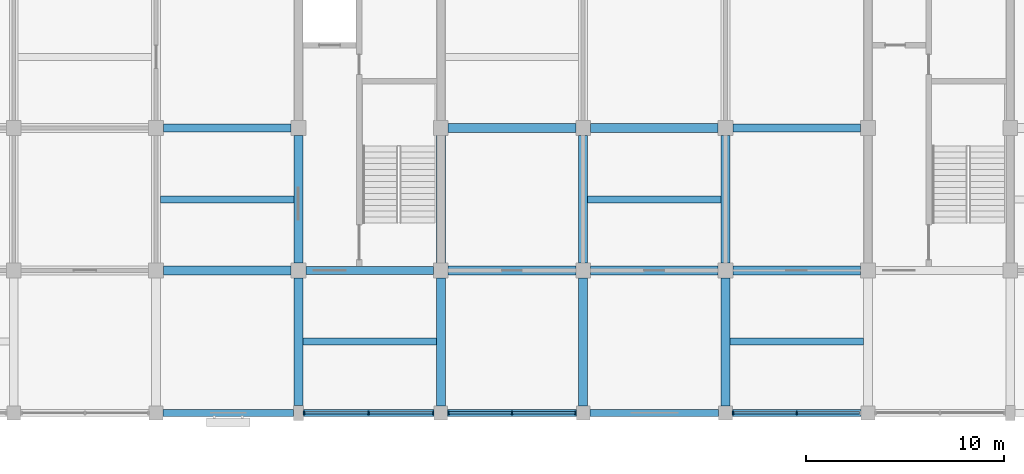
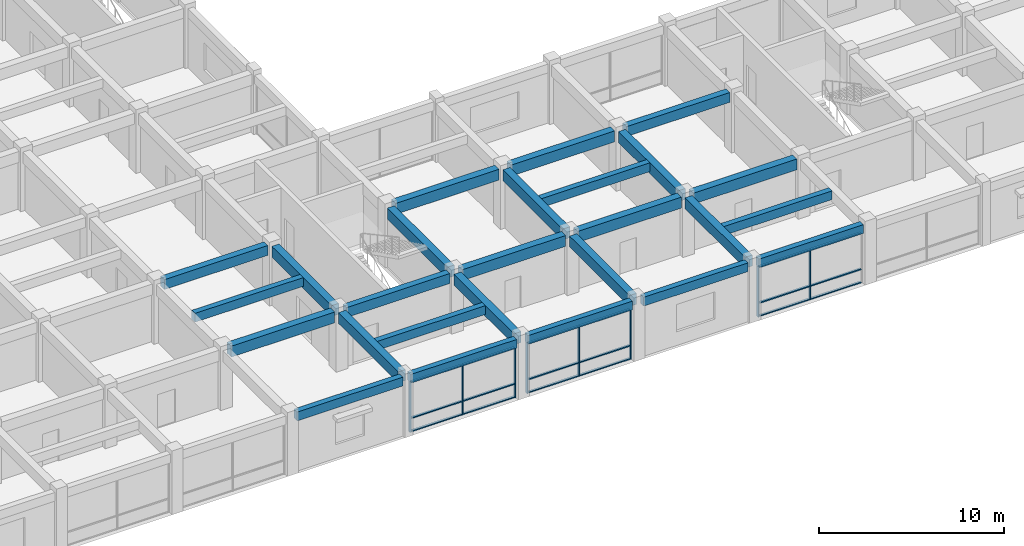
# One storey, part 7 of 31: 26 beams, 26 members, 3 elements without a shape of their own.
"""IFC4 building model written with IfcOpenShell, lengths in metres."""

from ifc_helpers import new_model, si_unit, direction, frame, origin, origin_2d, place, context, subcontext, project, spatial, rectangle, extrude, material, layer, layer_set, material_profile, profile_set, type_object, element, aggregate, save


model = new_model("IFC4")

# Units and contexts
model_context = context("Model", 3, precision=1e-05, world=origin(), true_north=direction((0.0, 1.0)))
body_context = subcontext(model_context, "Body", "Model", "MODEL_VIEW")
ifc_project = project(units=[si_unit("LENGTHUNIT", "METRE"), si_unit("AREAUNIT", "SQUARE_METRE"), si_unit("VOLUMEUNIT", "CUBIC_METRE"), si_unit("PLANEANGLEUNIT", "RADIAN"), si_unit("MASSUNIT", "GRAM", prefix="KILO")], contexts=[model_context])

# Site, building, storey
site_placement = place(None, origin())
site = spatial("IfcSite", under=ifc_project, at=site_placement, CompositionType="ELEMENT")
building_placement = place(site_placement, origin())
building = spatial("IfcBuilding", under=site, at=building_placement, Name="Cendaluz Park School", CompositionType="ELEMENT")
storey_placement = place(building_placement, frame((0.0, 0.0, 14.39990234375)))
storey = spatial("IfcBuildingStorey", under=building, at=storey_placement, Name="L03", CompositionType="ELEMENT", Elevation=14.39990234375)

# Beams
ifc_material_1 = material(Name="Concrete C40/50", Category="concrete")
ifc_material_profile_1 = material_profile(ifc_material_1, rectangle(XDim=0.449951171875, YDim=0.719970703125, at=origin_2d()), Name="RC 450x720", Category="concrete")
ifc_profile_set_1 = profile_set([ifc_material_profile_1], Name="Concrete C40/50")
beam_type_1 = type_object("IfcBeamType", Name="BM-RC02", PredefinedType="BEAM", material=ifc_profile_set_1)
for number, where, z_axis, x_axis, name in (
    (1, (93.97509765625, 14.39990234375, 3.530029296875), (1.0, 0.0, 0.0), (0.0, 1.0, 0.0), "BM-L03-BMRC02-0067"),
    (2, (108.375, 14.39990234375, 3.530029296875), (1.0, 0.0, 0.0), (0.0, 1.0, 0.0), "BM-L03-BMRC02-0085"),
    (3, (108.375, 21.60009765625, 3.530029296875), (1.0, 0.0, 0.0), (0.0, 1.0, 0.0), "BM-L03-BMRC02-0086"),
    (4, (115.574951171875, 14.39990234375, 3.530029296875), (1.0, 0.0, 0.0), (0.0, 1.0, 0.0), "BM-L03-BMRC02-0089"),
    (5, (115.574951171875, 21.60009765625, 3.530029296875), (1.0, 0.0, 0.0), (0.0, 1.0, 0.0), "BM-L03-BMRC02-0090"),
):
    element("IfcBeam", number, at=place(storey_placement, frame(where, z_axis=z_axis, x_axis=x_axis)), inside=storey, type_object=beam_type_1, Name=name, PredefinedType="BEAM", context=body_context, shape_type="SweptSolid", body=[
        extrude(rectangle(XDim=0.449951171875, YDim=0.719970703125, at=origin_2d()), origin(), (0.0, 0.0, 1.0), 6.449951171875),
    ])
beam_1_placement = place(storey_placement, frame((122.77490234375, 14.39990234375, 3.530029296875), z_axis=(1.0, 0.0, 0.0), x_axis=(0.0, 1.0, 0.0)))
element("IfcBeam", 6, at=beam_1_placement, inside=storey, type_object=beam_type_1, Name="BM-L03-BMRC02-0093", PredefinedType="BEAM", context=body_context, shape_type="SweptSolid", body=[
    extrude(rectangle(XDim=0.449951171875, YDim=0.719970703125, at=origin_2d()), origin(), (0.0, 0.0, 1.0), 6.4501953125),
])
beam_2_placement = place(storey_placement, frame((100.800048828125, 7.574951171875, 3.530029296875), z_axis=(0.0, 1.0, 0.0), x_axis=(-1.0, 0.0, 0.0)))
element("IfcBeam", 7, at=beam_2_placement, inside=storey, type_object=beam_type_1, Name="BM-L03-BMRC02-0177", PredefinedType="BEAM", context=body_context, shape_type="SweptSolid", body=[
    extrude(rectangle(XDim=0.449951171875, YDim=0.719970703125, at=origin_2d()), origin(), (0.0, 0.0, 1.0), 6.449951171875),
])
beam_3_placement = place(storey_placement, frame((100.800048828125, 14.77490234375, 3.530029296875), z_axis=(0.0, 1.0, 0.0), x_axis=(-1.0, 0.0, 0.0)))
element("IfcBeam", 8, at=beam_3_placement, inside=storey, type_object=beam_type_1, Name="BM-L03-BMRC02-0178", PredefinedType="BEAM", context=body_context, shape_type="SweptSolid", body=[
    extrude(rectangle(XDim=0.449951171875, YDim=0.719970703125, at=origin_2d()), origin(), (0.0, 0.0, 1.0), 6.4501953125),
])
beam_4_placement = place(storey_placement, frame((108.0, 7.550048828125, 3.530029296875), z_axis=(0.0, 1.0, 0.0), x_axis=(-1.0, 0.0, 0.0)))
element("IfcBeam", 9, at=beam_4_placement, inside=storey, type_object=beam_type_1, Name="BM-L03-BMRC02-0186", PredefinedType="BEAM", context=body_context, shape_type="SweptSolid", body=[
    extrude(rectangle(XDim=0.449951171875, YDim=0.719970703125, at=origin_2d()), origin(), (0.0, 0.0, 1.0), 6.474853515625),
])
beam_5_placement = place(storey_placement, frame((108.0, 14.77490234375, 3.530029296875), z_axis=(0.0, 1.0, 0.0), x_axis=(-1.0, 0.0, 0.0)))
element("IfcBeam", 10, at=beam_5_placement, inside=storey, type_object=beam_type_1, Name="BM-L03-BMRC02-0187", PredefinedType="BEAM", context=body_context, shape_type="SweptSolid", body=[
    extrude(rectangle(XDim=0.449951171875, YDim=0.719970703125, at=origin_2d()), origin(), (0.0, 0.0, 1.0), 6.4501953125),
])
beam_6_placement = place(storey_placement, frame((115.199951171875, 7.550048828125, 3.530029296875), z_axis=(0.0, 1.0, 0.0), x_axis=(-1.0, 0.0, 0.0)))
element("IfcBeam", 11, at=beam_6_placement, inside=storey, type_object=beam_type_1, Name="BM-L03-BMRC02-0195", PredefinedType="BEAM", context=body_context, shape_type="SweptSolid", body=[
    extrude(rectangle(XDim=0.449951171875, YDim=0.719970703125, at=origin_2d()), origin(), (0.0, 0.0, 1.0), 6.474853515625),
])
beam_7_placement = place(storey_placement, frame((115.199951171875, 14.77490234375, 3.530029296875), z_axis=(0.0, 1.0, 0.0), x_axis=(-1.0, 0.0, 0.0)))
element("IfcBeam", 12, at=beam_7_placement, inside=storey, type_object=beam_type_1, Name="BM-L03-BMRC02-0196", PredefinedType="BEAM", context=body_context, shape_type="SweptSolid", body=[
    extrude(rectangle(XDim=0.449951171875, YDim=0.719970703125, at=origin_2d()), origin(), (0.0, 0.0, 1.0), 6.4501953125),
])
beam_8_placement = place(storey_placement, frame((122.39990234375, 7.550048828125, 3.530029296875), z_axis=(0.0, 1.0, 0.0), x_axis=(-1.0, 0.0, 0.0)))
element("IfcBeam", 13, at=beam_8_placement, inside=storey, type_object=beam_type_1, Name="BM-L03-BMRC02-0198", PredefinedType="BEAM", context=body_context, shape_type="SweptSolid", body=[
    extrude(rectangle(XDim=0.449951171875, YDim=0.719970703125, at=origin_2d()), origin(), (0.0, 0.0, 1.0), 6.474853515625),
])
beam_9_placement = place(storey_placement, frame((122.39990234375, 14.77490234375, 3.530029296875), z_axis=(0.0, 1.0, 0.0), x_axis=(-1.0, 0.0, 0.0)))
element("IfcBeam", 14, at=beam_9_placement, inside=storey, type_object=beam_type_1, Name="BM-L03-BMRC02-0199", PredefinedType="BEAM", context=body_context, shape_type="SweptSolid", body=[
    extrude(rectangle(XDim=0.449951171875, YDim=0.719970703125, at=origin_2d()), origin(), (0.0, 0.0, 1.0), 6.4501953125),
])
ifc_material_profile_2 = material_profile(ifc_material_1, rectangle(XDim=0.39990234375, YDim=0.64990234375, at=origin_2d()), Name="RC 400x650", Category="concrete")
ifc_profile_set_2 = profile_set([ifc_material_profile_2], Name="Concrete C40/50")
beam_type_2 = type_object("IfcBeamType", Name="BM-RC03", PredefinedType="T_BEAM", material=ifc_profile_set_2)
for number, where, z_axis, x_axis, name in (
    (15, (93.97509765625, 21.60009765625, 3.565185546875), (1.0, 0.0, 0.0), (0.0, 1.0, 0.0), "BM-L03-BMRC03-0068"),
    (16, (101.175048828125, 14.39990234375, 3.565185546875), (1.0, 0.0, 0.0), (0.0, 1.0, 0.0), "BM-L03-BMRC03-0077"),
):
    element("IfcBeam", number, at=place(storey_placement, frame(where, z_axis=z_axis, x_axis=x_axis)), inside=storey, type_object=beam_type_2, Name=name, PredefinedType="T_BEAM", context=body_context, shape_type="SweptSolid", body=[
        extrude(rectangle(XDim=0.39990234375, YDim=0.64990234375, at=origin_2d()), origin(), (0.0, 0.0, 1.0), 6.449951171875),
    ])
beam_10_placement = place(storey_placement, frame((122.77490234375, 21.60009765625, 3.565185546875), z_axis=(1.0, 0.0, 0.0), x_axis=(0.0, 1.0, 0.0)))
element("IfcBeam", 17, at=beam_10_placement, inside=storey, type_object=beam_type_2, Name="BM-L03-BMRC03-0094", PredefinedType="T_BEAM", context=body_context, shape_type="SweptSolid", body=[
    extrude(rectangle(XDim=0.39990234375, YDim=0.64990234375, at=origin_2d()), origin(), (0.0, 0.0, 1.0), 6.4501953125),
])
ifc_material_profile_3 = material_profile(ifc_material_1, rectangle(XDim=0.35009765625, YDim=0.580078125, at=origin_2d()), Name="RC 350x580", Category="concrete")
ifc_profile_set_3 = profile_set([ifc_material_profile_3], Name="Concrete C40/50")
beam_type_3 = type_object("IfcBeamType", Name="BM-RC04", PredefinedType="LINTEL", material=ifc_profile_set_3)
beam_11_placement = place(storey_placement, frame((93.949951171875, 7.199951171875, 3.60009765625), z_axis=(1.0, 0.0, 0.0), x_axis=(0.0, 1.0, 0.0)))
element("IfcBeam", 18, at=beam_11_placement, inside=storey, type_object=beam_type_3, Name="BM-L03-BMRC04-0066", PredefinedType="LINTEL", context=body_context, shape_type="SweptSolid", body=[
    extrude(rectangle(XDim=0.35009765625, YDim=0.580078125, at=origin_2d()), origin(), (0.0, 0.0, 1.0), 6.60009765625),
])
beam_12_placement = place(storey_placement, frame((101.050048828125, 7.199951171875, 3.60009765625), z_axis=(1.0, 0.0, 0.0), x_axis=(0.0, 1.0, 0.0)))
element("IfcBeam", 19, at=beam_12_placement, inside=storey, type_object=beam_type_3, Name="BM-L03-BMRC04-0076", PredefinedType="LINTEL", context=body_context, shape_type="SweptSolid", body=[
    extrude(rectangle(XDim=0.35009765625, YDim=0.580078125, at=origin_2d()), origin(), (0.0, 0.0, 1.0), 6.599853515625),
])
for number, where, z_axis, x_axis, name in (
    (20, (108.35009765625, 7.199951171875, 3.60009765625), (1.0, 0.0, 0.0), (0.0, 1.0, 0.0), "BM-L03-BMRC04-0084"),
    (21, (115.550048828125, 7.199951171875, 3.60009765625), (1.0, 0.0, 0.0), (0.0, 1.0, 0.0), "BM-L03-BMRC04-0088"),
    (22, (122.75, 7.199951171875, 3.60009765625), (1.0, 0.0, 0.0), (0.0, 1.0, 0.0), "BM-L03-BMRC04-0092"),
):
    element("IfcBeam", number, at=place(storey_placement, frame(where, z_axis=z_axis, x_axis=x_axis)), inside=storey, type_object=beam_type_3, Name=name, PredefinedType="LINTEL", context=body_context, shape_type="SweptSolid", body=[
        extrude(rectangle(XDim=0.35009765625, YDim=0.580078125, at=origin_2d()), origin(), (0.0, 0.0, 1.0), 6.5),
    ])

# Curtain wall, members
ifc_material_2 = material(Name="Anodised Aluminium 6063-T6", Category="aluminium")
ifc_layer_1 = layer(ifc_material_2, 0.179931640625)
ifc_layer_set_1 = layer_set([ifc_layer_1], Name="Anodised Aluminium 6063-T6")
curtain_wall_type_1 = type_object("IfcCurtainWallType", Name="CW-132x66", PredefinedType="NOTDEFINED", material=ifc_layer_set_1)
curtain_wall_1_placement = place(storey_placement, origin())
curtain_wall_1 = element("IfcCurtainWall", 23, at=curtain_wall_1_placement, inside=storey, type_object=curtain_wall_type_1, Name="CW-L03-148", PredefinedType="NOTDEFINED")
ifc_material_profile_4 = material_profile(ifc_material_2, rectangle(XDim=0.179931640625, YDim=0.070068359375, at=origin_2d()), Name="CWM 180x70", Category="aluminium")
ifc_profile_set_4 = profile_set([ifc_material_profile_4], Name="Anodised Aluminium 6063-T6")
member_type_1 = type_object("IfcMemberType", Name="CWM-01", PredefinedType="MULLION", material=ifc_profile_set_4)
member_1_placement = place(storey_placement, frame((101.0849609375, 7.199951171875, 0.0), z_axis=(0.0, 0.0, 1.0), x_axis=(0.0, 1.0, 0.0)))
member_1 = element("IfcMember", 24, at=member_1_placement, type_object=member_type_1, Name="CP-L03-1912", PredefinedType="MULLION", context=body_context, shape_type="SweptSolid", body=[
    extrude(rectangle(XDim=0.179931640625, YDim=0.070068359375, at=origin_2d()), origin(), (0.0, 0.0, 1.0), 3.31005859375),
])
member_2_placement = place(storey_placement, frame((104.35009765625, 7.199951171875, 0.0), z_axis=(0.0, 0.0, 1.0), x_axis=(0.0, 1.0, 0.0)))
member_2 = element("IfcMember", 25, at=member_2_placement, type_object=member_type_1, Name="CP-L03-1913", PredefinedType="MULLION", context=body_context, shape_type="SweptSolid", body=[
    extrude(rectangle(XDim=0.179931640625, YDim=0.070068359375, at=origin_2d()), origin(), (0.0, 0.0, 1.0), 3.31005859375),
])
member_3_placement = place(storey_placement, frame((107.614990234375, 7.199951171875, 0.0), z_axis=(0.0, 0.0, 1.0), x_axis=(0.0, 1.0, 0.0)))
member_3 = element("IfcMember", 26, at=member_3_placement, type_object=member_type_1, Name="CP-L03-1914", PredefinedType="MULLION", context=body_context, shape_type="SweptSolid", body=[
    extrude(rectangle(XDim=0.179931640625, YDim=0.070068359375, at=origin_2d()), origin(), (0.0, 0.0, 1.0), 3.31005859375),
])

ifc_layer_2 = layer(ifc_material_2, 0.179931640625)
ifc_layer_set_2 = layer_set([ifc_layer_2], Name="Anodised Aluminium 6063-T6")
curtain_wall_type_2 = type_object("IfcCurtainWallType", Name="CW-130x66", PredefinedType="NOTDEFINED", material=ifc_layer_set_2)
curtain_wall_2_placement = place(storey_placement, origin())
curtain_wall_2 = element("IfcCurtainWall", 27, at=curtain_wall_2_placement, inside=storey, type_object=curtain_wall_type_2, Name="CW-L03-152", PredefinedType="NOTDEFINED")
member_4_placement = place(storey_placement, frame((108.385009765625, 7.199951171875, 0.0), z_axis=(0.0, 0.0, 1.0), x_axis=(0.0, 1.0, 0.0)))
member_4 = element("IfcMember", 28, at=member_4_placement, type_object=member_type_1, Name="CP-L03-1964", PredefinedType="MULLION", context=body_context, shape_type="SweptSolid", body=[
    extrude(rectangle(XDim=0.179931640625, YDim=0.070068359375, at=origin_2d()), origin(), (0.0, 0.0, 1.0), 3.31005859375),
])
member_5_placement = place(storey_placement, frame((111.60009765625, 7.199951171875, 0.0), z_axis=(0.0, 0.0, 1.0), x_axis=(0.0, 1.0, 0.0)))
member_5 = element("IfcMember", 29, at=member_5_placement, type_object=member_type_1, Name="CP-L03-1965", PredefinedType="MULLION", context=body_context, shape_type="SweptSolid", body=[
    extrude(rectangle(XDim=0.179931640625, YDim=0.070068359375, at=origin_2d()), origin(), (0.0, 0.0, 1.0), 3.31005859375),
])
member_6_placement = place(storey_placement, frame((114.81494140625, 7.199951171875, 0.0), z_axis=(0.0, 0.0, 1.0), x_axis=(0.0, 1.0, 0.0)))
member_6 = element("IfcMember", 30, at=member_6_placement, type_object=member_type_1, Name="CP-L03-1966", PredefinedType="MULLION", context=body_context, shape_type="SweptSolid", body=[
    extrude(rectangle(XDim=0.179931640625, YDim=0.070068359375, at=origin_2d()), origin(), (0.0, 0.0, 1.0), 3.31005859375),
])

curtain_wall_3_placement = place(storey_placement, origin())
curtain_wall_3 = element("IfcCurtainWall", 31, at=curtain_wall_3_placement, inside=storey, type_object=curtain_wall_type_2, Name="CW-L03-154", PredefinedType="NOTDEFINED")
member_7_placement = place(storey_placement, frame((122.784912109375, 7.199951171875, 0.0), z_axis=(0.0, 0.0, 1.0), x_axis=(0.0, 1.0, 0.0)))
member_7 = element("IfcMember", 32, at=member_7_placement, type_object=member_type_1, Name="CP-L03-1990", PredefinedType="MULLION", context=body_context, shape_type="SweptSolid", body=[
    extrude(rectangle(XDim=0.179931640625, YDim=0.070068359375, at=origin_2d()), origin(), (0.0, 0.0, 1.0), 3.31005859375),
])
member_8_placement = place(storey_placement, frame((126.0, 7.199951171875, 0.0), z_axis=(0.0, 0.0, 1.0), x_axis=(0.0, 1.0, 0.0)))
member_8 = element("IfcMember", 33, at=member_8_placement, type_object=member_type_1, Name="CP-L03-1991", PredefinedType="MULLION", context=body_context, shape_type="SweptSolid", body=[
    extrude(rectangle(XDim=0.179931640625, YDim=0.070068359375, at=origin_2d()), origin(), (0.0, 0.0, 1.0), 3.31005859375),
])

# Member
ifc_material_profile_5 = material_profile(ifc_material_2, rectangle(XDim=0.139892578125, YDim=0.070068359375, at=origin_2d()), Name="CWT 140x70", Category="aluminium")
ifc_profile_set_5 = profile_set([ifc_material_profile_5], Name="Anodised Aluminium 6063-T6")
member_type_2 = type_object("IfcMemberType", Name="CWT-01", PredefinedType="USERDEFINED", material=ifc_profile_set_5)
member_9_placement = place(storey_placement, frame((101.1201171875, 7.199951171875, 0.03515625), z_axis=(1.0, 0.0, 0.0), x_axis=(0.0, 1.0, 0.0)))
member_9 = element("IfcMember", 34, at=member_9_placement, type_object=member_type_2, Name="CP-L03-1915", ObjectType="TRANSOM", PredefinedType="USERDEFINED", context=body_context, shape_type="SweptSolid", body=[
    extrude(rectangle(XDim=0.139892578125, YDim=0.070068359375, at=origin_2d()), origin(), (0.0, 0.0, 1.0), 3.19482421875),
])

member_10_placement = place(storey_placement, frame((101.1201171875, 7.199951171875, 0.900146484375), z_axis=(1.0, 0.0, 0.0), x_axis=(0.0, 1.0, 0.0)))
member_10 = element("IfcMember", 35, at=member_10_placement, type_object=member_type_2, Name="CP-L03-1916", ObjectType="TRANSOM", PredefinedType="USERDEFINED", context=body_context, shape_type="SweptSolid", body=[
    extrude(rectangle(XDim=0.139892578125, YDim=0.070068359375, at=origin_2d()), origin(), (0.0, 0.0, 1.0), 3.19482421875),
])

member_11_placement = place(storey_placement, frame((101.1201171875, 7.199951171875, 3.275146484375), z_axis=(1.0, 0.0, 0.0), x_axis=(0.0, 1.0, 0.0)))
member_11 = element("IfcMember", 36, at=member_11_placement, type_object=member_type_2, Name="CP-L03-1917", ObjectType="TRANSOM", PredefinedType="USERDEFINED", context=body_context, shape_type="SweptSolid", body=[
    extrude(rectangle(XDim=0.139892578125, YDim=0.070068359375, at=origin_2d()), origin(), (0.0, 0.0, 1.0), 3.19482421875),
])

member_12_placement = place(storey_placement, frame((104.385009765625, 7.199951171875, 0.03515625), z_axis=(1.0, 0.0, 0.0), x_axis=(0.0, 1.0, 0.0)))
member_12 = element("IfcMember", 37, at=member_12_placement, type_object=member_type_2, Name="CP-L03-1920", ObjectType="TRANSOM", PredefinedType="USERDEFINED", context=body_context, shape_type="SweptSolid", body=[
    extrude(rectangle(XDim=0.139892578125, YDim=0.070068359375, at=origin_2d()), origin(), (0.0, 0.0, 1.0), 3.195068359375),
])

member_13_placement = place(storey_placement, frame((104.385009765625, 7.199951171875, 0.900146484375), z_axis=(1.0, 0.0, 0.0), x_axis=(0.0, 1.0, 0.0)))
member_13 = element("IfcMember", 38, at=member_13_placement, type_object=member_type_2, Name="CP-L03-1921", ObjectType="TRANSOM", PredefinedType="USERDEFINED", context=body_context, shape_type="SweptSolid", body=[
    extrude(rectangle(XDim=0.139892578125, YDim=0.070068359375, at=origin_2d()), origin(), (0.0, 0.0, 1.0), 3.195068359375),
])

member_14_placement = place(storey_placement, frame((104.385009765625, 7.199951171875, 3.275146484375), z_axis=(1.0, 0.0, 0.0), x_axis=(0.0, 1.0, 0.0)))
member_14 = element("IfcMember", 39, at=member_14_placement, type_object=member_type_2, Name="CP-L03-1922", ObjectType="TRANSOM", PredefinedType="USERDEFINED", context=body_context, shape_type="SweptSolid", body=[
    extrude(rectangle(XDim=0.139892578125, YDim=0.070068359375, at=origin_2d()), origin(), (0.0, 0.0, 1.0), 3.195068359375),
])

aggregate(curtain_wall_1, [member_1, member_2, member_3, member_9, member_10, member_11, member_12, member_13, member_14])

member_15_placement = place(storey_placement, frame((108.419921875, 7.199951171875, 0.03515625), z_axis=(1.0, 0.0, 0.0), x_axis=(0.0, 1.0, 0.0)))
member_15 = element("IfcMember", 40, at=member_15_placement, type_object=member_type_2, Name="CP-L03-1967", ObjectType="TRANSOM", PredefinedType="USERDEFINED", context=body_context, shape_type="SweptSolid", body=[
    extrude(rectangle(XDim=0.139892578125, YDim=0.070068359375, at=origin_2d()), origin(), (0.0, 0.0, 1.0), 3.14501953125),
])

member_16_placement = place(storey_placement, frame((108.419921875, 7.199951171875, 0.900146484375), z_axis=(1.0, 0.0, 0.0), x_axis=(0.0, 1.0, 0.0)))
member_16 = element("IfcMember", 41, at=member_16_placement, type_object=member_type_2, Name="CP-L03-1968", ObjectType="TRANSOM", PredefinedType="USERDEFINED", context=body_context, shape_type="SweptSolid", body=[
    extrude(rectangle(XDim=0.139892578125, YDim=0.070068359375, at=origin_2d()), origin(), (0.0, 0.0, 1.0), 3.14501953125),
])

member_17_placement = place(storey_placement, frame((108.419921875, 7.199951171875, 3.275146484375), z_axis=(1.0, 0.0, 0.0), x_axis=(0.0, 1.0, 0.0)))
member_17 = element("IfcMember", 42, at=member_17_placement, type_object=member_type_2, Name="CP-L03-1969", ObjectType="TRANSOM", PredefinedType="USERDEFINED", context=body_context, shape_type="SweptSolid", body=[
    extrude(rectangle(XDim=0.139892578125, YDim=0.070068359375, at=origin_2d()), origin(), (0.0, 0.0, 1.0), 3.14501953125),
])

member_18_placement = place(storey_placement, frame((111.635009765625, 7.199951171875, 0.03515625), z_axis=(1.0, 0.0, 0.0), x_axis=(0.0, 1.0, 0.0)))
member_18 = element("IfcMember", 43, at=member_18_placement, type_object=member_type_2, Name="CP-L03-1972", ObjectType="TRANSOM", PredefinedType="USERDEFINED", context=body_context, shape_type="SweptSolid", body=[
    extrude(rectangle(XDim=0.139892578125, YDim=0.070068359375, at=origin_2d()), origin(), (0.0, 0.0, 1.0), 3.14501953125),
])

member_19_placement = place(storey_placement, frame((111.635009765625, 7.199951171875, 0.900146484375), z_axis=(1.0, 0.0, 0.0), x_axis=(0.0, 1.0, 0.0)))
member_19 = element("IfcMember", 44, at=member_19_placement, type_object=member_type_2, Name="CP-L03-1973", ObjectType="TRANSOM", PredefinedType="USERDEFINED", context=body_context, shape_type="SweptSolid", body=[
    extrude(rectangle(XDim=0.139892578125, YDim=0.070068359375, at=origin_2d()), origin(), (0.0, 0.0, 1.0), 3.14501953125),
])

member_20_placement = place(storey_placement, frame((111.635009765625, 7.199951171875, 3.275146484375), z_axis=(1.0, 0.0, 0.0), x_axis=(0.0, 1.0, 0.0)))
member_20 = element("IfcMember", 45, at=member_20_placement, type_object=member_type_2, Name="CP-L03-1974", ObjectType="TRANSOM", PredefinedType="USERDEFINED", context=body_context, shape_type="SweptSolid", body=[
    extrude(rectangle(XDim=0.139892578125, YDim=0.070068359375, at=origin_2d()), origin(), (0.0, 0.0, 1.0), 3.14501953125),
])

aggregate(curtain_wall_2, [member_4, member_5, member_6, member_15, member_16, member_17, member_18, member_19, member_20])

member_21_placement = place(storey_placement, frame((122.820068359375, 7.199951171875, 0.03515625), z_axis=(1.0, 0.0, 0.0), x_axis=(0.0, 1.0, 0.0)))
member_21 = element("IfcMember", 46, at=member_21_placement, type_object=member_type_2, Name="CP-L03-1993", ObjectType="TRANSOM", PredefinedType="USERDEFINED", context=body_context, shape_type="SweptSolid", body=[
    extrude(rectangle(XDim=0.139892578125, YDim=0.070068359375, at=origin_2d()), origin(), (0.0, 0.0, 1.0), 3.14501953125),
])

member_22_placement = place(storey_placement, frame((122.820068359375, 7.199951171875, 0.900146484375), z_axis=(1.0, 0.0, 0.0), x_axis=(0.0, 1.0, 0.0)))
member_22 = element("IfcMember", 47, at=member_22_placement, type_object=member_type_2, Name="CP-L03-1994", ObjectType="TRANSOM", PredefinedType="USERDEFINED", context=body_context, shape_type="SweptSolid", body=[
    extrude(rectangle(XDim=0.139892578125, YDim=0.070068359375, at=origin_2d()), origin(), (0.0, 0.0, 1.0), 3.14501953125),
])

member_23_placement = place(storey_placement, frame((122.820068359375, 7.199951171875, 3.275146484375), z_axis=(1.0, 0.0, 0.0), x_axis=(0.0, 1.0, 0.0)))
member_23 = element("IfcMember", 48, at=member_23_placement, type_object=member_type_2, Name="CP-L03-1995", ObjectType="TRANSOM", PredefinedType="USERDEFINED", context=body_context, shape_type="SweptSolid", body=[
    extrude(rectangle(XDim=0.139892578125, YDim=0.070068359375, at=origin_2d()), origin(), (0.0, 0.0, 1.0), 3.14501953125),
])

member_24_placement = place(storey_placement, frame((126.034912109375, 7.199951171875, 0.03515625), z_axis=(1.0, 0.0, 0.0), x_axis=(0.0, 1.0, 0.0)))
member_24 = element("IfcMember", 49, at=member_24_placement, type_object=member_type_2, Name="CP-L03-1998", ObjectType="TRANSOM", PredefinedType="USERDEFINED", context=body_context, shape_type="SweptSolid", body=[
    extrude(rectangle(XDim=0.139892578125, YDim=0.070068359375, at=origin_2d()), origin(), (0.0, 0.0, 1.0), 3.14501953125),
])

member_25_placement = place(storey_placement, frame((126.034912109375, 7.199951171875, 0.900146484375), z_axis=(1.0, 0.0, 0.0), x_axis=(0.0, 1.0, 0.0)))
member_25 = element("IfcMember", 50, at=member_25_placement, type_object=member_type_2, Name="CP-L03-1999", ObjectType="TRANSOM", PredefinedType="USERDEFINED", context=body_context, shape_type="SweptSolid", body=[
    extrude(rectangle(XDim=0.139892578125, YDim=0.070068359375, at=origin_2d()), origin(), (0.0, 0.0, 1.0), 3.14501953125),
])

member_26_placement = place(storey_placement, frame((126.034912109375, 7.199951171875, 3.275146484375), z_axis=(1.0, 0.0, 0.0), x_axis=(0.0, 1.0, 0.0)))
member_26 = element("IfcMember", 51, at=member_26_placement, type_object=member_type_2, Name="CP-L03-2000", ObjectType="TRANSOM", PredefinedType="USERDEFINED", context=body_context, shape_type="SweptSolid", body=[
    extrude(rectangle(XDim=0.139892578125, YDim=0.070068359375, at=origin_2d()), origin(), (0.0, 0.0, 1.0), 3.14501953125),
])

aggregate(curtain_wall_3, [member_7, member_8, member_21, member_22, member_23, member_24, member_25, member_26])

# Beams
ifc_material_profile_6 = material_profile(ifc_material_1, rectangle(XDim=0.35009765625, YDim=0.580078125, at=origin_2d()), Name="RC 350x580", Category="concrete")
ifc_profile_set_6 = profile_set([ifc_material_profile_6], Name="Concrete C40/50")
beam_type_4 = type_object("IfcBeamType", Name="JT-RC01", PredefinedType="JOIST", material=ifc_profile_set_6)
for number, where, z_axis, x_axis, name in (
    (52, (93.824951171875, 18.0, 3.60009765625), (1.0, 0.0, 0.0), (0.0, 1.0, 0.0), "BM-L03-JTRC01-0233"),
    (53, (101.02490234375, 10.800048828125, 3.60009765625), (1.0, 0.0, 0.0), (0.0, 1.0, 0.0), "BM-L03-JTRC01-0236"),
    (54, (115.425048828125, 18.0, 3.60009765625), (1.0, 0.0, 0.0), (0.0, 1.0, 0.0), "BM-L03-JTRC01-0239"),
    (55, (122.625, 10.800048828125, 3.60009765625), (1.0, 0.0, 0.0), (0.0, 1.0, 0.0), "BM-L03-JTRC01-0240"),
):
    element("IfcBeam", number, at=place(storey_placement, frame(where, z_axis=z_axis, x_axis=x_axis)), inside=storey, type_object=beam_type_4, Name=name, PredefinedType="JOIST", context=body_context, shape_type="SweptSolid", body=[
        extrude(rectangle(XDim=0.35009765625, YDim=0.580078125, at=origin_2d()), origin(), (0.0, 0.0, 1.0), 6.75),
    ])

save(model, "model.ifc")
